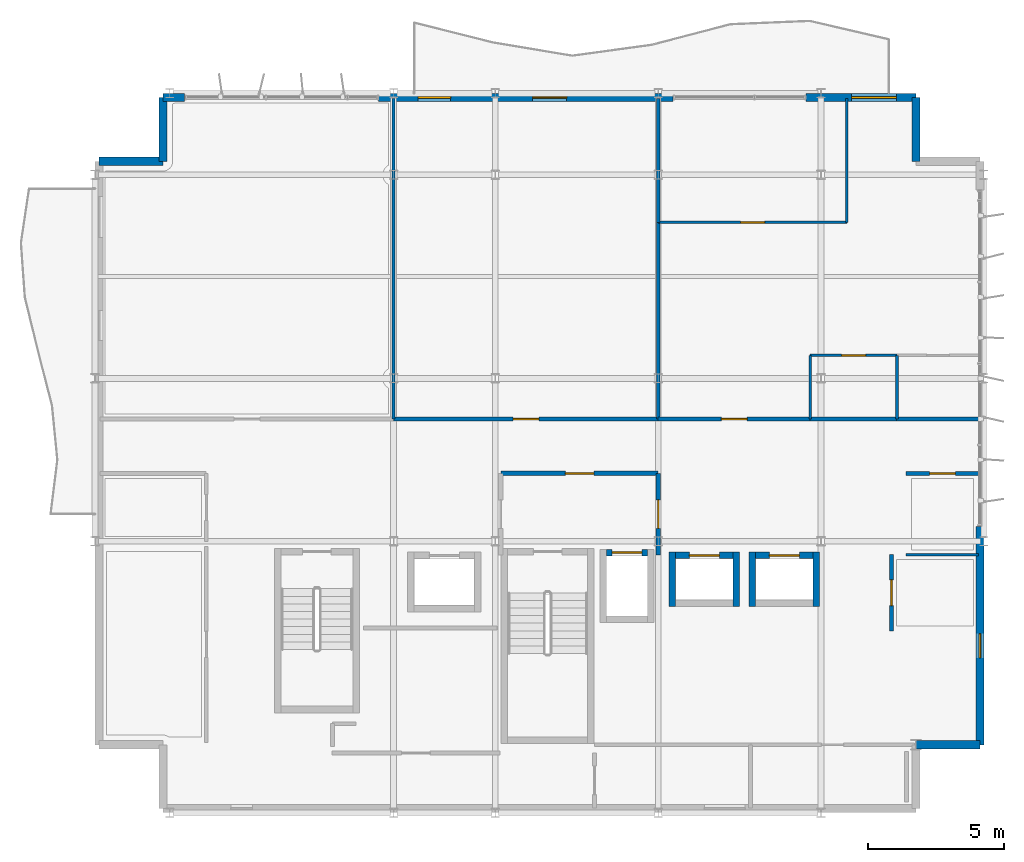
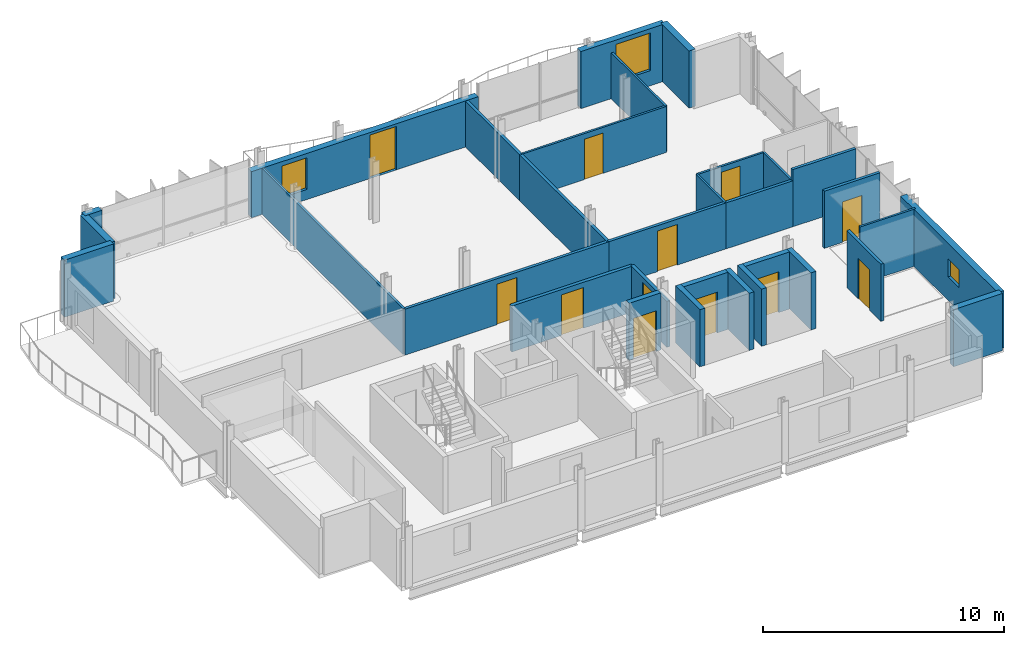
# One storey, part 9 of 12: 32 walls, 12 doors, 3 windows, 15 openings.
"""IFC4 building model written with IfcOpenShell, lengths in metres."""

from ifc_helpers import new_model, si_unit, direction, frame, frame_2d, origin, place, context, subcontext, project, spatial, rectangle, extrude, material, layer, layer_set, type_object, element, fill, save


model = new_model("IFC4")

# Units and contexts
model_context = context("Model", 3, precision=1e-05, world=origin(), true_north=direction((0.0, 1.0)))
body_context = subcontext(model_context, "Body", "Model", "MODEL_VIEW")
ifc_project = project(units=[si_unit("LENGTHUNIT", "METRE"), si_unit("AREAUNIT", "SQUARE_METRE"), si_unit("VOLUMEUNIT", "CUBIC_METRE"), si_unit("PLANEANGLEUNIT", "RADIAN"), si_unit("MASSUNIT", "GRAM", prefix="KILO")], contexts=[model_context])

# Site, building, storey
site_placement = place(None, origin())
site = spatial("IfcSite", under=ifc_project, at=site_placement, CompositionType="ELEMENT")
building_placement = place(site_placement, origin())
building = spatial("IfcBuilding", under=site, at=building_placement, Name="Brevholm Reach", CompositionType="ELEMENT")
storey_placement = place(building_placement, frame((0.0, 0.0, 230.39990234375)))
storey = spatial("IfcBuildingStorey", under=building, at=storey_placement, Name="L70", CompositionType="ELEMENT", Elevation=230.39990234375)

# Wall, opening, door
ifc_material_1 = material(Name="Concrete C45/55", Category="concrete")
ifc_layer_1 = layer(ifc_material_1, 0.239990234375)
ifc_layer_set_1 = layer_set([ifc_layer_1], Name="Concrete C45/55")
wall_type_1 = type_object("IfcWallType", Name="WAL-COR-240", PredefinedType="SHEAR", material=ifc_layer_set_1)
wall_1_placement = place(storey_placement, frame((46.090087890625, 9.580078125, 0.0), z_axis=(0.0, 0.0, 1.0), x_axis=(1.0, 0.0, 0.0)))
wall_1 = element("IfcWall", 1, at=wall_1_placement, inside=storey, type_object=wall_type_1, Name="L70 Lift FFL-2 Shaft Wall N", PredefinedType="SHEAR", context=body_context, shape_type="SweptSolid", body=[
    extrude(rectangle(XDim=1.52001953125, YDim=0.239990234375, at=frame_2d((0.760009765625, 0.0))), origin(), (0.0, 0.0, 1.0), 2.89013671875),
])
opening_1_placement = place(wall_1_placement, frame((0.2099609375, 0.0, 0.0)))
opening_1 = element("IfcOpeningElement", 2, at=opening_1_placement, cuts=wall_1, Name="Opening LD-FFL-2", PredefinedType="OPENING", context=body_context, shape_type="SweptSolid", body=[
    extrude(rectangle(XDim=1.10009765625, YDim=2.06005859375, at=frame_2d((0.550048828125, 1.030029296875))), frame((0.0, 0.1298828125, 0.0), z_axis=(0.0, -1.0, 0.0), x_axis=(1.0, 0.0, 0.0)), (0.0, 0.0, 1.0), 0.260009765625),
])
ifc_material_2 = material(Name="Brushed Stainless Steel Fire-Rated Sliding Lift Door", Category="steel")
door_type_1 = type_object("IfcDoorType", Name="DOR-LFT-1100", OperationType="NOTDEFINED", PredefinedType="DOOR", material=ifc_material_2)
door_1_placement = place(opening_1_placement, origin())
door_1 = element("IfcDoor", 3, at=door_1_placement, inside=storey, type_object=door_type_1, Name="L70 Lift FFL-2 Sliding Landing Door", OperationType="SLIDING_TO_LEFT", OverallHeight=2.06005859375, OverallWidth=1.10009765625, PredefinedType="DOOR", context=body_context, shape_type="SweptSolid", body=[
    extrude(rectangle(XDim=1.10009765625, YDim=2.06005859375, at=frame_2d((0.550048828125, 1.030029296875))), frame((0.0, 0.02490234375, 0.0), z_axis=(0.0, -1.0, 0.0), x_axis=(1.0, 0.0, 0.0)), (0.0, 0.0, 1.0), 0.050048828125),
])
fill(opening_1, door_1)

# Walls
for number, where, z_axis, x_axis, name in (
    (4, (48.52001953125, 7.60009765625, 0.0), (0.0, 0.0, 1.0), (0.0, 1.0, 0.0), "L70 Lift PL-H1 Shaft Wall W"),
    (5, (50.8798828125, 7.60009765625, 0.0), (0.0, 0.0, 1.0), (0.0, 1.0, 0.0), "L70 Lift PL-H1 Shaft Wall E"),
):
    element("IfcWall", number, at=place(storey_placement, frame(where, z_axis=z_axis, x_axis=x_axis)), inside=storey, type_object=wall_type_1, Name=name, PredefinedType="SHEAR", context=body_context, shape_type="SweptSolid", body=[
        extrude(rectangle(XDim=2.0, YDim=0.239990234375, at=frame_2d((1.0, 0.0))), origin(), (0.0, 0.0, 1.0), 2.89013671875),
    ])

# Wall, opening, door
wall_2_placement = place(storey_placement, frame((48.639892578125, 9.47998046875, 0.0), z_axis=(0.0, 0.0, 1.0), x_axis=(1.0, 0.0, 0.0)))
wall_2 = element("IfcWall", 6, at=wall_2_placement, inside=storey, type_object=wall_type_1, Name="L70 Lift PL-H1 Shaft Wall N", PredefinedType="SHEAR", context=body_context, shape_type="SweptSolid", body=[
    extrude(rectangle(XDim=2.1201171875, YDim=0.239990234375, at=frame_2d((1.06005859375, 0.0))), origin(), (0.0, 0.0, 1.0), 2.89013671875),
])
opening_2_placement = place(wall_2_placement, frame((0.510009765625, 0.0, 0.0)))
opening_2 = element("IfcOpeningElement", 7, at=opening_2_placement, cuts=wall_2, Name="Opening LD-PL-H1", PredefinedType="OPENING", context=body_context, shape_type="SweptSolid", body=[
    extrude(rectangle(XDim=1.10009765625, YDim=2.06005859375, at=frame_2d((0.550048828125, 1.030029296875))), frame((0.0, 0.1298828125, 0.0), z_axis=(0.0, -1.0, 0.0), x_axis=(1.0, 0.0, 0.0)), (0.0, 0.0, 1.0), 0.260009765625),
])
door_2_placement = place(opening_2_placement, origin())
door_2 = element("IfcDoor", 8, at=door_2_placement, inside=storey, type_object=door_type_1, Name="L70 Lift PL-H1 Sliding Landing Door", OperationType="SLIDING_TO_LEFT", OverallHeight=2.06005859375, OverallWidth=1.10009765625, PredefinedType="DOOR", context=body_context, shape_type="SweptSolid", body=[
    extrude(rectangle(XDim=1.10009765625, YDim=2.06005859375, at=frame_2d((0.550048828125, 1.030029296875))), frame((0.0, 0.02490234375, 0.0), z_axis=(0.0, -1.0, 0.0), x_axis=(1.0, 0.0, 0.0)), (0.0, 0.0, 1.0), 0.050048828125),
])
fill(opening_2, door_2)

# Walls
for number, where, z_axis, x_axis, name in (
    (9, (51.469970703125, 7.60009765625, 0.0), (0.0, 0.0, 1.0), (0.0, 1.0, 0.0), "L70 Lift PL-H2 Shaft Wall W"),
    (10, (53.830078125, 7.60009765625, 0.0), (0.0, 0.0, 1.0), (0.0, 1.0, 0.0), "L70 Lift PL-H2 Shaft Wall E"),
):
    element("IfcWall", number, at=place(storey_placement, frame(where, z_axis=z_axis, x_axis=x_axis)), inside=storey, type_object=wall_type_1, Name=name, PredefinedType="SHEAR", context=body_context, shape_type="SweptSolid", body=[
        extrude(rectangle(XDim=2.0, YDim=0.239990234375, at=frame_2d((1.0, 0.0))), origin(), (0.0, 0.0, 1.0), 2.89013671875),
    ])

# Wall, opening, door
wall_3_placement = place(storey_placement, frame((51.590087890625, 9.47998046875, 0.0), z_axis=(0.0, 0.0, 1.0), x_axis=(1.0, 0.0, 0.0)))
wall_3 = element("IfcWall", 11, at=wall_3_placement, inside=storey, type_object=wall_type_1, Name="L70 Lift PL-H2 Shaft Wall N", PredefinedType="SHEAR", context=body_context, shape_type="SweptSolid", body=[
    extrude(rectangle(XDim=2.119873046875, YDim=0.239990234375, at=frame_2d((1.06005859375, 0.0))), origin(), (0.0, 0.0, 1.0), 2.89013671875),
])
opening_3_placement = place(wall_3_placement, frame((0.510009765625, 0.0, 0.0)))
opening_3 = element("IfcOpeningElement", 12, at=opening_3_placement, cuts=wall_3, Name="Opening LD-PL-H2", PredefinedType="OPENING", context=body_context, shape_type="SweptSolid", body=[
    extrude(rectangle(XDim=1.10009765625, YDim=2.06005859375, at=frame_2d((0.550048828125, 1.030029296875))), frame((0.0, 0.1298828125, 0.0), z_axis=(0.0, -1.0, 0.0), x_axis=(1.0, 0.0, 0.0)), (0.0, 0.0, 1.0), 0.260009765625),
])
door_3_placement = place(opening_3_placement, origin())
door_3 = element("IfcDoor", 13, at=door_3_placement, inside=storey, type_object=door_type_1, Name="L70 Lift PL-H2 Sliding Landing Door", OperationType="SLIDING_TO_RIGHT", OverallHeight=2.06005859375, OverallWidth=1.10009765625, PredefinedType="DOOR", context=body_context, shape_type="SweptSolid", body=[
    extrude(rectangle(XDim=1.10009765625, YDim=2.06005859375, at=frame_2d((0.550048828125, 1.030029296875))), frame((0.0, 0.02490234375, 0.0), z_axis=(0.0, -1.0, 0.0), x_axis=(1.0, 0.0, 0.0)), (0.0, 0.0, 1.0), 0.050048828125),
])
fill(opening_3, door_3)

# Walls
ifc_material_3 = material(Name="Concrete C40/50", Category="concrete")
ifc_layer_2 = layer(ifc_material_3, 0.300048828125)
ifc_layer_set_2 = layer_set([ifc_layer_2], Name="Concrete C40/50")
wall_type_2 = type_object("IfcWallType", Name="WAL-EXT-300", PredefinedType="STANDARD", material=ifc_layer_set_2)
for number, where, z_axis, x_axis, name in (
    (14, (57.5, 2.5, 0.0), (0.0, 0.0, 1.0), (1.0, 0.0, 0.0), "L70 Facade Wall WAL-L70-CSE2"),
    (15, (57.5, 24.0, 0.0), (0.0, 0.0, 1.0), (0.0, 1.0, 0.0), "L70 Facade Wall WAL-L70-CNE2"),
    (16, (29.75, 26.35009765625, 0.0), (0.0, 0.0, 1.0), (0.0, -1.0, 0.0), "L70 Facade Wall WAL-L70-CNW1"),
    (17, (29.75, 24.0, 0.0), (0.0, 0.0, 1.0), (-1.0, 0.0, 0.0), "L70 Facade Wall WAL-L70-CNW2"),
):
    element("IfcWall", number, at=place(storey_placement, frame(where, z_axis=z_axis, x_axis=x_axis)), inside=storey, type_object=wall_type_2, Name=name, PredefinedType="STANDARD", context=body_context, shape_type="SweptSolid", body=[
        extrude(rectangle(XDim=2.35009765625, YDim=0.300048828125, at=frame_2d((1.175048828125, 0.0))), origin(), (0.0, 0.0, 1.0), 2.89013671875),
    ])

# Wall, opening, window
wall_4_placement = place(storey_placement, frame((59.85009765625, 2.5, 0.0), z_axis=(0.0, 0.0, 1.0), x_axis=(0.0, 1.0, 0.0)))
wall_4 = element("IfcWall", 18, at=wall_4_placement, inside=storey, type_object=wall_type_2, Name="L70 Facade Wall WAL-L70-E-S", PredefinedType="STANDARD", context=body_context, shape_type="SweptSolid", body=[
    extrude(rectangle(XDim=8.050048828125, YDim=0.300048828125, at=frame_2d((4.02490234375, 0.0))), origin(), (0.0, 0.0, 1.0), 2.89013671875),
])
opening_4_placement = place(wall_4_placement, frame((3.199951171875, 0.0, 1.199951171875)))
opening_4 = element("IfcOpeningElement", 19, at=opening_4_placement, cuts=wall_4, Name="Opening WN-09", PredefinedType="OPENING", context=body_context, shape_type="SweptSolid", body=[
    extrude(rectangle(XDim=0.89990234375, YDim=0.89990234375, at=frame_2d((0.449951171875, 0.449951171875))), frame((0.0, 0.159912109375, 0.0), z_axis=(0.0, -1.0, 0.0), x_axis=(1.0, 0.0, 0.0)), (0.0, 0.0, 1.0), 0.320068359375),
])
ifc_material_4 = material(Name="Dark Anodised Aluminium and Solar-Control IGU Glass", Category="aluminium")
window_type_1 = type_object("IfcWindowType", Name="WIN-POR-0900", PartitioningType="SINGLE_PANEL", PredefinedType="WINDOW", material=ifc_material_4)
window_1_placement = place(opening_4_placement, origin())
window_1 = element("IfcWindow", 20, at=window_1_placement, inside=storey, type_object=window_type_1, Name="L70 Window WIN-L70-ES-1", OverallHeight=0.89990234375, OverallWidth=0.89990234375, PartitioningType="SINGLE_PANEL", PredefinedType="WINDOW", context=body_context, shape_type="SweptSolid", body=[
    extrude(rectangle(XDim=0.89990234375, YDim=0.89990234375, at=frame_2d((0.449951171875, 0.449951171875))), frame((0.0, 0.030029296875, 0.0), z_axis=(0.0, -1.0, 0.0), x_axis=(1.0, 0.0, 0.0)), (0.0, 0.0, 1.0), 0.06005859375),
])
fill(opening_4, window_1)

# Wall
wall_5_placement = place(storey_placement, frame((29.75, 26.35009765625, 0.0), z_axis=(0.0, 0.0, 1.0), x_axis=(1.0, 0.0, 0.0)))
element("IfcWall", 21, at=wall_5_placement, inside=storey, type_object=wall_type_2, Name="L70 Facade Wall WAL-L70-NP-1", PredefinedType="STANDARD", context=body_context, shape_type="SweptSolid", body=[
    extrude(rectangle(XDim=0.800048828125, YDim=0.300048828125, at=frame_2d((0.39990234375, 0.0))), origin(), (0.0, 0.0, 1.0), 2.89013671875),
])

# Wall, openings, door, window
wall_6_placement = place(storey_placement, frame((37.699951171875, 26.35009765625, 0.0), z_axis=(0.0, 0.0, 1.0), x_axis=(1.0, 0.0, 0.0)))
wall_6 = element("IfcWall", 22, at=wall_6_placement, inside=storey, type_object=wall_type_2, Name="L70 Facade Wall WAL-L70-NP-2", PredefinedType="STANDARD", context=body_context, shape_type="SweptSolid", body=[
    extrude(rectangle(XDim=10.85009765625, YDim=0.300048828125, at=frame_2d((5.425048828125, 0.0))), origin(), (0.0, 0.0, 1.0), 2.33203125),
])
opening_5_placement = place(wall_6_placement, frame((5.677001953125, 0.0, 0.0)))
opening_5 = element("IfcOpeningElement", 23, at=opening_5_placement, cuts=wall_6, Name="Opening BD-02", PredefinedType="OPENING", context=body_context, shape_type="SweptSolid", body=[
    extrude(rectangle(XDim=1.25, YDim=2.199951171875, at=frame_2d((0.625, 1.10009765625))), frame((0.0, 0.159912109375, 0.0), z_axis=(0.0, -1.0, 0.0), x_axis=(1.0, 0.0, 0.0)), (0.0, 0.0, 1.0), 0.320068359375),
])
opening_6_placement = place(wall_6_placement, frame((1.449951171875, 0.0, 0.511962890625)))
opening_6 = element("IfcOpeningElement", 24, at=opening_6_placement, cuts=wall_6, Name="Opening WN-08", PredefinedType="OPENING", context=body_context, shape_type="SweptSolid", body=[
    extrude(rectangle(XDim=1.199951171875, YDim=1.60009765625, at=frame_2d((0.60009765625, 0.800048828125))), frame((0.0, 0.159912109375, 0.0), z_axis=(0.0, -1.0, 0.0), x_axis=(1.0, 0.0, 0.0)), (0.0, 0.0, 1.0), 0.320068359375),
])
ifc_material_5 = material(Name="Dark Anodised Aluminium and Triple-Glazed Glass", Category="aluminium")
door_type_2 = type_object("IfcDoorType", Name="DOR-BALC-1250", OperationType="NOTDEFINED", PredefinedType="DOOR", material=ifc_material_5)
door_4_placement = place(opening_5_placement, origin())
door_4 = element("IfcDoor", 25, at=door_4_placement, inside=storey, type_object=door_type_2, Name="L70 Exterior Door DOR-L70-BL-NE", OperationType="SINGLE_SWING_RIGHT", OverallHeight=2.199951171875, OverallWidth=1.25, PredefinedType="DOOR", context=body_context, shape_type="SweptSolid", body=[
    extrude(rectangle(XDim=1.25, YDim=2.199951171875, at=frame_2d((0.625, 1.10009765625))), frame((0.0, 0.02490234375, 0.0), z_axis=(0.0, -1.0, 0.0), x_axis=(1.0, 0.0, 0.0)), (0.0, 0.0, 1.0), 0.050048828125),
])
fill(opening_5, door_4)
ifc_material_6 = material(Name="Dark Anodised Aluminium and Solar-Control IGU Glass", Category="aluminium")
window_type_2 = type_object("IfcWindowType", Name="WIN-RES-1200", PartitioningType="SINGLE_PANEL", PredefinedType="WINDOW", material=ifc_material_6)
window_2_placement = place(opening_6_placement, origin())
window_2 = element("IfcWindow", 26, at=window_2_placement, inside=storey, type_object=window_type_2, Name="L70 Window WIN-L70-NP-2", OverallHeight=1.60009765625, OverallWidth=1.199951171875, PartitioningType="SINGLE_PANEL", PredefinedType="WINDOW", context=body_context, shape_type="SweptSolid", body=[
    extrude(rectangle(XDim=1.199951171875, YDim=1.60009765625, at=frame_2d((0.60009765625, 0.800048828125))), frame((0.0, 0.030029296875, 0.0), z_axis=(0.0, -1.0, 0.0), x_axis=(1.0, 0.0, 0.0)), (0.0, 0.0, 1.0), 0.06005859375),
])
fill(opening_6, window_2)

# Wall, opening, window
wall_7_placement = place(storey_placement, frame((53.449951171875, 26.35009765625, 0.0), z_axis=(0.0, 0.0, 1.0), x_axis=(1.0, 0.0, 0.0)))
wall_7 = element("IfcWall", 27, at=wall_7_placement, inside=storey, type_object=wall_type_2, Name="L70 Facade Wall WAL-L70-NP-4", PredefinedType="STANDARD", context=body_context, shape_type="SweptSolid", body=[
    extrude(rectangle(XDim=4.050048828125, YDim=0.300048828125, at=frame_2d((2.02490234375, 0.0))), origin(), (0.0, 0.0, 1.0), 2.89013671875),
])
opening_7_placement = place(wall_7_placement, frame((1.679931640625, 0.0, 0.77001953125)))
opening_7 = element("IfcOpeningElement", 28, at=opening_7_placement, cuts=wall_7, Name="Opening WN-06", PredefinedType="OPENING", context=body_context, shape_type="SweptSolid", body=[
    extrude(rectangle(XDim=1.64990234375, YDim=1.89990234375, at=frame_2d((0.824951171875, 0.949951171875))), frame((0.0, 0.159912109375, 0.0), z_axis=(0.0, -1.0, 0.0), x_axis=(1.0, 0.0, 0.0)), (0.0, 0.0, 1.0), 0.320068359375),
])
ifc_material_7 = material(Name="Dark Anodised Aluminium and Solar-Control IGU Glass", Category="aluminium")
window_type_3 = type_object("IfcWindowType", Name="WIN-RES-1650", PartitioningType="SINGLE_PANEL", PredefinedType="WINDOW", material=ifc_material_7)
window_3_placement = place(opening_7_placement, origin())
window_3 = element("IfcWindow", 29, at=window_3_placement, inside=storey, type_object=window_type_3, Name="L70 Window WIN-L70-NP-4", OverallHeight=1.89990234375, OverallWidth=1.64990234375, PartitioningType="SINGLE_PANEL", PredefinedType="WINDOW", context=body_context, shape_type="SweptSolid", body=[
    extrude(rectangle(XDim=1.64990234375, YDim=1.89990234375, at=frame_2d((0.824951171875, 0.949951171875))), frame((0.0, 0.030029296875, 0.0), z_axis=(0.0, -1.0, 0.0), x_axis=(1.0, 0.0, 0.0)), (0.0, 0.0, 1.0), 0.06005859375),
])
fill(opening_7, window_3)

# Walls
ifc_material_8 = material(Name="Moisture-Resistant Acoustic Gypsum Stud Partition 100 mm", Category="gypsum")
ifc_layer_3 = layer(ifc_material_8, 0.10009765625)
ifc_layer_set_3 = layer_set([ifc_layer_3], Name="Moisture-Resistant Acoustic Gypsum Stud Partition 100 mm")
wall_type_3 = type_object("IfcWallType", Name="WAL-PRT-100", PredefinedType="PARTITIONING", material=ifc_layer_set_3)
wall_8_placement = place(storey_placement, frame((57.138671875, 9.5, 0.0), z_axis=(0.0, 0.0, 1.0), x_axis=(1.0, 0.0, 0.0)))
element("IfcWall", 30, at=wall_8_placement, inside=storey, type_object=wall_type_3, Name="L70 Internal Partition 012", PredefinedType="PARTITIONING", context=body_context, shape_type="SweptSolid", body=[
    extrude(rectangle(XDim=2.661376953125, YDim=0.10009765625, at=frame_2d((1.33056640625, 0.0))), origin(), (0.0, 0.0, 1.0), 2.89013671875),
])
wall_9_placement = place(storey_placement, frame((38.25, 14.50390625, 0.0), z_axis=(0.0, 0.0, 1.0), x_axis=(0.0, 1.0, 0.0)))
element("IfcWall", 31, at=wall_9_placement, inside=storey, type_object=wall_type_3, Name="L70 Internal Partition 020", PredefinedType="PARTITIONING", context=body_context, shape_type="SweptSolid", body=[
    extrude(rectangle(XDim=11.816162109375, YDim=0.10009765625, at=frame_2d((5.908203125, 0.0))), origin(), (0.0, 0.0, 1.0), 2.32568359375),
])
wall_10_placement = place(storey_placement, frame((56.800048828125, 14.50390625, 0.0), z_axis=(0.0, 0.0, 1.0), x_axis=(0.0, 1.0, 0.0)))
element("IfcWall", 32, at=wall_10_placement, inside=storey, type_object=wall_type_3, Name="L70 Internal Partition 023", PredefinedType="PARTITIONING", context=body_context, shape_type="SweptSolid", body=[
    extrude(rectangle(XDim=2.34619140625, YDim=0.10009765625, at=frame_2d((1.173095703125, 0.0))), origin(), (0.0, 0.0, 1.0), 2.32568359375),
])

# Wall, opening, door
wall_11_placement = place(storey_placement, frame((53.60009765625, 16.85009765625, 0.0), z_axis=(0.0, 0.0, 1.0), x_axis=(1.0, 0.0, 0.0)))
wall_11 = element("IfcWall", 33, at=wall_11_placement, inside=storey, type_object=wall_type_3, Name="L70 Internal Partition 025", PredefinedType="PARTITIONING", context=body_context, shape_type="SweptSolid", body=[
    extrude(rectangle(XDim=3.19580078125, YDim=0.10009765625, at=frame_2d((1.597900390625, 0.0))), origin(), (0.0, 0.0, 1.0), 2.32568359375),
])
opening_8_placement = place(wall_11_placement, frame((1.157958984375, 0.0, 0.0)))
opening_8 = element("IfcOpeningElement", 34, at=opening_8_placement, cuts=wall_11, Name="Opening ID-01", PredefinedType="OPENING", context=body_context, shape_type="SweptSolid", body=[
    extrude(rectangle(XDim=0.8798828125, YDim=2.0400390625, at=frame_2d((0.43994140625, 1.02001953125))), frame((0.0, 0.06005859375, 0.0), z_axis=(0.0, -1.0, 0.0), x_axis=(1.0, 0.0, 0.0)), (0.0, 0.0, 1.0), 0.1201171875),
])
ifc_material_9 = material(Name="Lacquered Ash Solid-Core Acoustic Internal Door", Category="timber")
door_type_3 = type_object("IfcDoorType", Name="DOR-INT-880", OperationType="NOTDEFINED", PredefinedType="DOOR", material=ifc_material_9)
door_5_placement = place(opening_8_placement, origin())
door_5 = element("IfcDoor", 35, at=door_5_placement, inside=storey, type_object=door_type_3, Name="L70 Internal Door 015", OperationType="SINGLE_SWING_LEFT", OverallHeight=2.0400390625, OverallWidth=0.8798828125, PredefinedType="DOOR", context=body_context, shape_type="SweptSolid", body=[
    extrude(rectangle(XDim=0.8798828125, YDim=2.0400390625, at=frame_2d((0.43994140625, 1.02001953125))), frame((0.0, 0.02490234375, 0.0), z_axis=(0.0, -1.0, 0.0), x_axis=(1.0, 0.0, 0.0)), (0.0, 0.0, 1.0), 0.050048828125),
])
fill(opening_8, door_5)

# Walls
wall_12_placement = place(storey_placement, frame((53.60009765625, 14.50390625, 0.0), z_axis=(0.0, 0.0, 1.0), x_axis=(0.0, 1.0, 0.0)))
element("IfcWall", 36, at=wall_12_placement, inside=storey, type_object=wall_type_3, Name="L70 Internal Partition 026", PredefinedType="PARTITIONING", context=body_context, shape_type="SweptSolid", body=[
    extrude(rectangle(XDim=2.34619140625, YDim=0.10009765625, at=frame_2d((1.173095703125, 0.0))), origin(), (0.0, 0.0, 1.0), 2.32568359375),
])
wall_13_placement = place(storey_placement, frame((54.949951171875, 21.75, 0.0), z_axis=(0.0, 0.0, 1.0), x_axis=(0.0, 1.0, 0.0)))
element("IfcWall", 37, at=wall_13_placement, inside=storey, type_object=wall_type_3, Name="L70 Internal Partition 027", PredefinedType="PARTITIONING", context=body_context, shape_type="SweptSolid", body=[
    extrude(rectangle(XDim=4.570068359375, YDim=0.10009765625, at=frame_2d((2.28515625, 0.0))), origin(), (0.0, 0.0, 1.0), 2.32568359375),
])

# Wall, opening, door
wall_14_placement = place(storey_placement, frame((48.00390625, 21.75, 0.0), z_axis=(0.0, 0.0, 1.0), x_axis=(1.0, 0.0, 0.0)))
wall_14 = element("IfcWall", 38, at=wall_14_placement, inside=storey, type_object=wall_type_3, Name="L70 Internal Partition 028", PredefinedType="PARTITIONING", context=body_context, shape_type="SweptSolid", body=[
    extrude(rectangle(XDim=6.946044921875, YDim=0.10009765625, at=frame_2d((3.47314453125, 0.0))), origin(), (0.0, 0.0, 1.0), 2.32568359375),
])
opening_9_placement = place(wall_14_placement, frame((3.032958984375, 0.0, 0.0)))
opening_9 = element("IfcOpeningElement", 39, at=opening_9_placement, cuts=wall_14, Name="Opening ID-01", PredefinedType="OPENING", context=body_context, shape_type="SweptSolid", body=[
    extrude(rectangle(XDim=0.8798828125, YDim=2.0400390625, at=frame_2d((0.43994140625, 1.02001953125))), frame((0.0, 0.06005859375, 0.0), z_axis=(0.0, -1.0, 0.0), x_axis=(1.0, 0.0, 0.0)), (0.0, 0.0, 1.0), 0.1201171875),
])
door_6_placement = place(opening_9_placement, origin())
door_6 = element("IfcDoor", 40, at=door_6_placement, inside=storey, type_object=door_type_3, Name="L70 Internal Door 016", OperationType="SINGLE_SWING_RIGHT", OverallHeight=2.0400390625, OverallWidth=0.8798828125, PredefinedType="DOOR", context=body_context, shape_type="SweptSolid", body=[
    extrude(rectangle(XDim=0.8798828125, YDim=2.0400390625, at=frame_2d((0.43994140625, 1.02001953125))), frame((0.0, 0.02490234375, 0.0), z_axis=(0.0, -1.0, 0.0), x_axis=(1.0, 0.0, 0.0)), (0.0, 0.0, 1.0), 0.050048828125),
])
fill(opening_9, door_6)

ifc_material_10 = material(Name="Twin-Stud Acoustic Fire-Rated Gypsum Partition 140 mm", Category="gypsum")
ifc_layer_4 = layer(ifc_material_10, 0.139892578125)
ifc_layer_set_4 = layer_set([ifc_layer_4], Name="Twin-Stud Acoustic Fire-Rated Gypsum Partition 140 mm")
wall_type_4 = type_object("IfcWallType", Name="WAL-PRT-140", PredefinedType="PARTITIONING", material=ifc_layer_set_4)
wall_15_placement = place(storey_placement, frame((56.60009765625, 6.688720703125, 0.0), z_axis=(0.0, 0.0, 1.0), x_axis=(0.0, 1.0, 0.0)))
wall_15 = element("IfcWall", 41, at=wall_15_placement, inside=storey, type_object=wall_type_4, Name="L70 Internal Partition 005", PredefinedType="PARTITIONING", context=body_context, shape_type="SweptSolid", body=[
    extrude(rectangle(XDim=2.822509765625, YDim=0.139892578125, at=frame_2d((1.4111328125, 0.0))), origin(), (0.0, 0.0, 1.0), 2.89013671875),
])
opening_10_placement = place(wall_15_placement, frame((0.936279296875, 0.0, 0.0)))
opening_10 = element("IfcOpeningElement", 42, at=opening_10_placement, cuts=wall_15, Name="Opening ID-30", PredefinedType="OPENING", context=body_context, shape_type="SweptSolid", body=[
    extrude(rectangle(XDim=0.949951171875, YDim=2.050048828125, at=frame_2d((0.47509765625, 1.02490234375))), frame((0.0, 0.079833984375, 0.0), z_axis=(0.0, -1.0, 0.0), x_axis=(1.0, 0.0, 0.0)), (0.0, 0.0, 1.0), 0.159912109375),
])
ifc_material_11 = material(Name="European Oak Veneered Solid-Core Fire Entrance Door", Category="timber")
door_type_4 = type_object("IfcDoorType", Name="DOR-FLT-FD30S", OperationType="NOTDEFINED", PredefinedType="DOOR", material=ifc_material_11)
door_7_placement = place(opening_10_placement, origin())
door_7 = element("IfcDoor", 43, at=door_7_placement, inside=storey, type_object=door_type_4, Name="L70 Internal Door 005", OperationType="SINGLE_SWING_LEFT", OverallHeight=2.050048828125, OverallWidth=0.949951171875, PredefinedType="DOOR", context=body_context, shape_type="SweptSolid", body=[
    extrude(rectangle(XDim=0.949951171875, YDim=2.050048828125, at=frame_2d((0.47509765625, 1.02490234375))), frame((0.0, 0.02490234375, 0.0), z_axis=(0.0, -1.0, 0.0), x_axis=(1.0, 0.0, 0.0)), (0.0, 0.0, 1.0), 0.050048828125),
])
fill(opening_10, door_7)

wall_16_placement = place(storey_placement, frame((57.138671875, 12.5, 0.0), z_axis=(0.0, 0.0, 1.0), x_axis=(1.0, 0.0, 0.0)))
wall_16 = element("IfcWall", 44, at=wall_16_placement, inside=storey, type_object=wall_type_4, Name="L70 Internal Partition 013", PredefinedType="PARTITIONING", context=body_context, shape_type="SweptSolid", body=[
    extrude(rectangle(XDim=2.672607421875, YDim=0.139892578125, at=frame_2d((1.33642578125, 0.0))), origin(), (0.0, 0.0, 1.0), 2.89013671875),
])
opening_11_placement = place(wall_16_placement, frame((0.861328125, 0.0, 0.0)))
opening_11 = element("IfcOpeningElement", 45, at=opening_11_placement, cuts=wall_16, Name="Opening ID-30", PredefinedType="OPENING", context=body_context, shape_type="SweptSolid", body=[
    extrude(rectangle(XDim=0.949951171875, YDim=2.050048828125, at=frame_2d((0.47509765625, 1.02490234375))), frame((0.0, 0.079833984375, 0.0), z_axis=(0.0, -1.0, 0.0), x_axis=(1.0, 0.0, 0.0)), (0.0, 0.0, 1.0), 0.159912109375),
])
door_8_placement = place(opening_11_placement, origin())
door_8 = element("IfcDoor", 46, at=door_8_placement, inside=storey, type_object=door_type_4, Name="L70 Internal Door 010", OperationType="SINGLE_SWING_RIGHT", OverallHeight=2.050048828125, OverallWidth=0.949951171875, PredefinedType="DOOR", context=body_context, shape_type="SweptSolid", body=[
    extrude(rectangle(XDim=0.949951171875, YDim=2.050048828125, at=frame_2d((0.47509765625, 1.02490234375))), frame((0.0, 0.02490234375, 0.0), z_axis=(0.0, -1.0, 0.0), x_axis=(1.0, 0.0, 0.0)), (0.0, 0.0, 1.0), 0.050048828125),
])
fill(opening_11, door_8)

wall_17_placement = place(storey_placement, frame((38.24267578125, 14.5, 0.0), z_axis=(0.0, 0.0, 1.0), x_axis=(1.0, 0.0, 0.0)))
wall_17 = element("IfcWall", 47, at=wall_17_placement, inside=storey, type_object=wall_type_4, Name="L70 Internal Partition 016", PredefinedType="PARTITIONING", context=body_context, shape_type="SweptSolid", body=[
    extrude(rectangle(XDim=9.7685546875, YDim=0.139892578125, at=frame_2d((4.88427734375, 0.0))), origin(), (0.0, 0.0, 1.0), 2.32568359375),
])
opening_12_placement = place(wall_17_placement, frame((4.4091796875, 0.0, 0.0)))
opening_12 = element("IfcOpeningElement", 48, at=opening_12_placement, cuts=wall_17, Name="Opening ID-30", PredefinedType="OPENING", context=body_context, shape_type="SweptSolid", body=[
    extrude(rectangle(XDim=0.949951171875, YDim=2.050048828125, at=frame_2d((0.47509765625, 1.02490234375))), frame((0.0, 0.079833984375, 0.0), z_axis=(0.0, -1.0, 0.0), x_axis=(1.0, 0.0, 0.0)), (0.0, 0.0, 1.0), 0.159912109375),
])
door_9_placement = place(opening_12_placement, origin())
door_9 = element("IfcDoor", 49, at=door_9_placement, inside=storey, type_object=door_type_4, Name="L70 Internal Door 012", OperationType="SINGLE_SWING_RIGHT", OverallHeight=2.050048828125, OverallWidth=0.949951171875, PredefinedType="DOOR", context=body_context, shape_type="SweptSolid", body=[
    extrude(rectangle(XDim=0.949951171875, YDim=2.050048828125, at=frame_2d((0.47509765625, 1.02490234375))), frame((0.0, 0.02490234375, 0.0), z_axis=(0.0, -1.0, 0.0), x_axis=(1.0, 0.0, 0.0)), (0.0, 0.0, 1.0), 0.050048828125),
])
fill(opening_12, door_9)

# Walls
wall_18_placement = place(storey_placement, frame((56.788818359375, 14.5, 0.0), z_axis=(0.0, 0.0, 1.0), x_axis=(1.0, 0.0, 0.0)))
element("IfcWall", 50, at=wall_18_placement, inside=storey, type_object=wall_type_4, Name="L70 Internal Partition 017", PredefinedType="PARTITIONING", context=body_context, shape_type="SweptSolid", body=[
    extrude(rectangle(XDim=3.03125, YDim=0.139892578125, at=frame_2d((1.515625, 0.0))), origin(), (0.0, 0.0, 1.0), 2.89013671875),
])
wall_19_placement = place(storey_placement, frame((53.588623046875, 14.5, 0.0), z_axis=(0.0, 0.0, 1.0), x_axis=(1.0, 0.0, 0.0)))
element("IfcWall", 51, at=wall_19_placement, inside=storey, type_object=wall_type_4, Name="L70 Internal Partition 018", PredefinedType="PARTITIONING", context=body_context, shape_type="SweptSolid", body=[
    extrude(rectangle(XDim=3.21875, YDim=0.139892578125, at=frame_2d((1.609375, 0.0))), origin(), (0.0, 0.0, 1.0), 2.32568359375),
])

# Wall, opening, door
wall_20_placement = place(storey_placement, frame((47.99267578125, 14.5, 0.0), z_axis=(0.0, 0.0, 1.0), x_axis=(1.0, 0.0, 0.0)))
wall_20 = element("IfcWall", 52, at=wall_20_placement, inside=storey, type_object=wall_type_4, Name="L70 Internal Partition 019", PredefinedType="PARTITIONING", context=body_context, shape_type="SweptSolid", body=[
    extrude(rectangle(XDim=5.61474609375, YDim=0.139892578125, at=frame_2d((2.807373046875, 0.0))), origin(), (0.0, 0.0, 1.0), 2.32568359375),
])
opening_13_placement = place(wall_20_placement, frame((2.332275390625, 0.0, 0.0)))
opening_13 = element("IfcOpeningElement", 53, at=opening_13_placement, cuts=wall_20, Name="Opening ID-30", PredefinedType="OPENING", context=body_context, shape_type="SweptSolid", body=[
    extrude(rectangle(XDim=0.949951171875, YDim=2.050048828125, at=frame_2d((0.47509765625, 1.02490234375))), frame((0.0, 0.079833984375, 0.0), z_axis=(0.0, -1.0, 0.0), x_axis=(1.0, 0.0, 0.0)), (0.0, 0.0, 1.0), 0.159912109375),
])
door_10_placement = place(opening_13_placement, origin())
door_10 = element("IfcDoor", 54, at=door_10_placement, inside=storey, type_object=door_type_4, Name="L70 Internal Door 013", OperationType="SINGLE_SWING_LEFT", OverallHeight=2.050048828125, OverallWidth=0.949951171875, PredefinedType="DOOR", context=body_context, shape_type="SweptSolid", body=[
    extrude(rectangle(XDim=0.949951171875, YDim=2.050048828125, at=frame_2d((0.47509765625, 1.02490234375))), frame((0.0, 0.02490234375, 0.0), z_axis=(0.0, -1.0, 0.0), x_axis=(1.0, 0.0, 0.0)), (0.0, 0.0, 1.0), 0.050048828125),
])
fill(opening_13, door_10)

# Walls
wall_21_placement = place(storey_placement, frame((48.0, 21.73876953125, 0.0), z_axis=(0.0, 0.0, 1.0), x_axis=(0.0, 1.0, 0.0)))
element("IfcWall", 55, at=wall_21_placement, inside=storey, type_object=wall_type_4, Name="L70 Internal Partition 021", PredefinedType="PARTITIONING", context=body_context, shape_type="SweptSolid", body=[
    extrude(rectangle(XDim=4.581298828125, YDim=0.139892578125, at=frame_2d((2.29052734375, 0.0))), origin(), (0.0, 0.0, 1.0), 2.32568359375),
])
wall_22_placement = place(storey_placement, frame((48.0, 14.50390625, 0.0), z_axis=(0.0, 0.0, 1.0), x_axis=(0.0, 1.0, 0.0)))
element("IfcWall", 56, at=wall_22_placement, inside=storey, type_object=wall_type_4, Name="L70 Internal Partition 022", PredefinedType="PARTITIONING", context=body_context, shape_type="SweptSolid", body=[
    extrude(rectangle(XDim=7.25341796875, YDim=0.139892578125, at=frame_2d((3.626708984375, 0.0))), origin(), (0.0, 0.0, 1.0), 2.32568359375),
])

# Wall, opening, door
ifc_material_12 = material(Name="Twin-Frame Fire-Rated Gypsum Board and Mineral Wool 160 mm", Category="gypsum")
ifc_layer_5 = layer(ifc_material_12, 0.159912109375)
ifc_layer_set_5 = layer_set([ifc_layer_5], Name="Twin-Frame Fire-Rated Gypsum Board and Mineral Wool 160 mm")
wall_type_5 = type_object("IfcWallType", Name="WAL-PRT-160", PredefinedType="PARTITIONING", material=ifc_layer_set_5)
wall_23_placement = place(storey_placement, frame((48.0, 9.5, 0.0), z_axis=(0.0, 0.0, 1.0), x_axis=(0.0, 1.0, 0.0)))
wall_23 = element("IfcWall", 57, at=wall_23_placement, inside=storey, type_object=wall_type_5, Name="L70 Internal Partition 010", PredefinedType="PARTITIONING", context=body_context, shape_type="SweptSolid", body=[
    extrude(rectangle(XDim=3.0, YDim=0.159912109375, at=frame_2d((1.5, 0.0))), origin(), (0.0, 0.0, 1.0), 2.32568359375),
])
opening_14_placement = place(wall_23_placement, frame((0.97509765625, 0.0, 0.0)))
opening_14 = element("IfcOpeningElement", 58, at=opening_14_placement, cuts=wall_23, Name="Opening FD-01", PredefinedType="OPENING", context=body_context, shape_type="SweptSolid", body=[
    extrude(rectangle(XDim=1.050048828125, YDim=2.06005859375, at=frame_2d((0.52490234375, 1.030029296875))), frame((0.0, 0.08984375, 0.0), z_axis=(0.0, -1.0, 0.0), x_axis=(1.0, 0.0, 0.0)), (0.0, 0.0, 1.0), 0.179931640625),
])
ifc_material_13 = material(Name="Hardwood-Lipped Steel-Core Fire and Smoke Door", Category="steel")
door_type_5 = type_object("IfcDoorType", Name="DOR-INT-FD60S", OperationType="NOTDEFINED", PredefinedType="DOOR", material=ifc_material_13)
door_11_placement = place(opening_14_placement, origin())
door_11 = element("IfcDoor", 59, at=door_11_placement, inside=storey, type_object=door_type_5, Name="L70 Internal Door 008", OperationType="SINGLE_SWING_RIGHT", OverallHeight=2.06005859375, OverallWidth=1.050048828125, PredefinedType="DOOR", context=body_context, shape_type="SweptSolid", body=[
    extrude(rectangle(XDim=1.050048828125, YDim=2.06005859375, at=frame_2d((0.52490234375, 1.030029296875))), frame((0.0, 0.02490234375, 0.0), z_axis=(0.0, -1.0, 0.0), x_axis=(1.0, 0.0, 0.0)), (0.0, 0.0, 1.0), 0.050048828125),
])
fill(opening_14, door_11)

wall_24_placement = place(storey_placement, frame((42.199951171875, 12.5, 0.0), z_axis=(0.0, 0.0, 1.0), x_axis=(1.0, 0.0, 0.0)))
wall_24 = element("IfcWall", 60, at=wall_24_placement, inside=storey, type_object=wall_type_5, Name="L70 Internal Partition 011", PredefinedType="PARTITIONING", context=body_context, shape_type="SweptSolid", body=[
    extrude(rectangle(XDim=5.800048828125, YDim=0.159912109375, at=frame_2d((2.89990234375, 0.0))), origin(), (0.0, 0.0, 1.0), 2.32568359375),
])
opening_15_placement = place(wall_24_placement, frame((2.375, 0.0, 0.0)))
opening_15 = element("IfcOpeningElement", 61, at=opening_15_placement, cuts=wall_24, Name="Opening FD-01", PredefinedType="OPENING", context=body_context, shape_type="SweptSolid", body=[
    extrude(rectangle(XDim=1.050048828125, YDim=2.06005859375, at=frame_2d((0.52490234375, 1.030029296875))), frame((0.0, 0.08984375, 0.0), z_axis=(0.0, -1.0, 0.0), x_axis=(1.0, 0.0, 0.0)), (0.0, 0.0, 1.0), 0.179931640625),
])
door_12_placement = place(opening_15_placement, origin())
door_12 = element("IfcDoor", 62, at=door_12_placement, inside=storey, type_object=door_type_5, Name="L70 Internal Door 009", OperationType="SINGLE_SWING_LEFT", OverallHeight=2.06005859375, OverallWidth=1.050048828125, PredefinedType="DOOR", context=body_context, shape_type="SweptSolid", body=[
    extrude(rectangle(XDim=1.050048828125, YDim=2.06005859375, at=frame_2d((0.52490234375, 1.030029296875))), frame((0.0, 0.02490234375, 0.0), z_axis=(0.0, -1.0, 0.0), x_axis=(1.0, 0.0, 0.0)), (0.0, 0.0, 1.0), 0.050048828125),
])
fill(opening_15, door_12)

save(model, "model.ifc")
